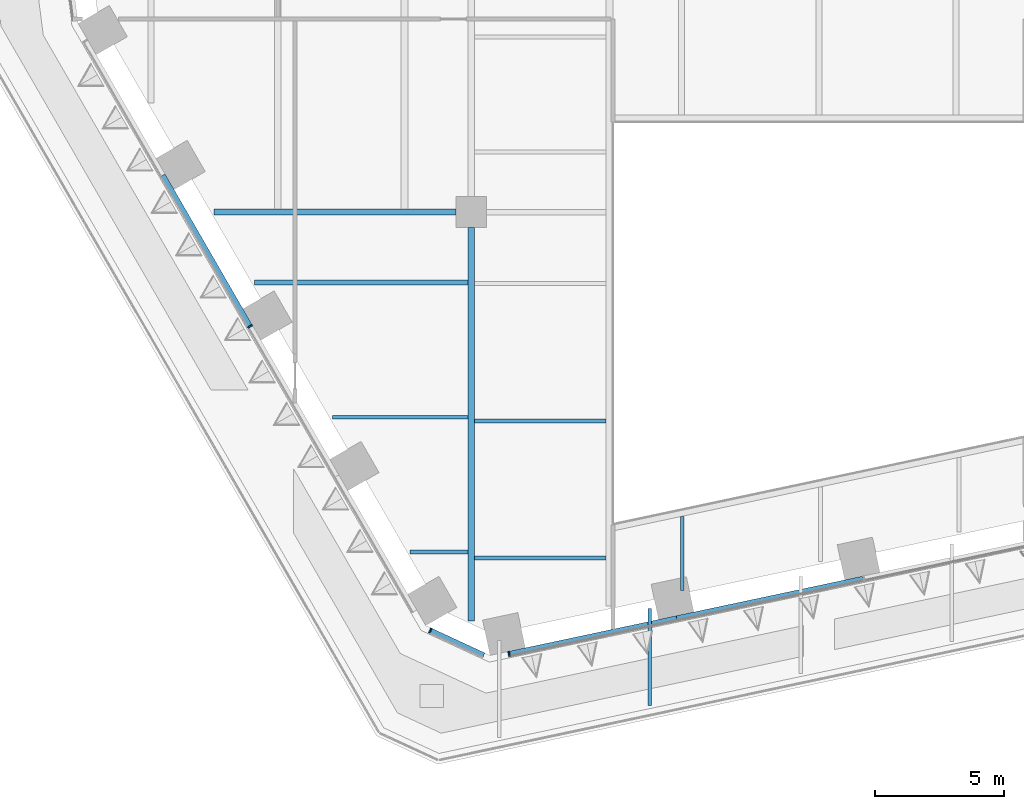
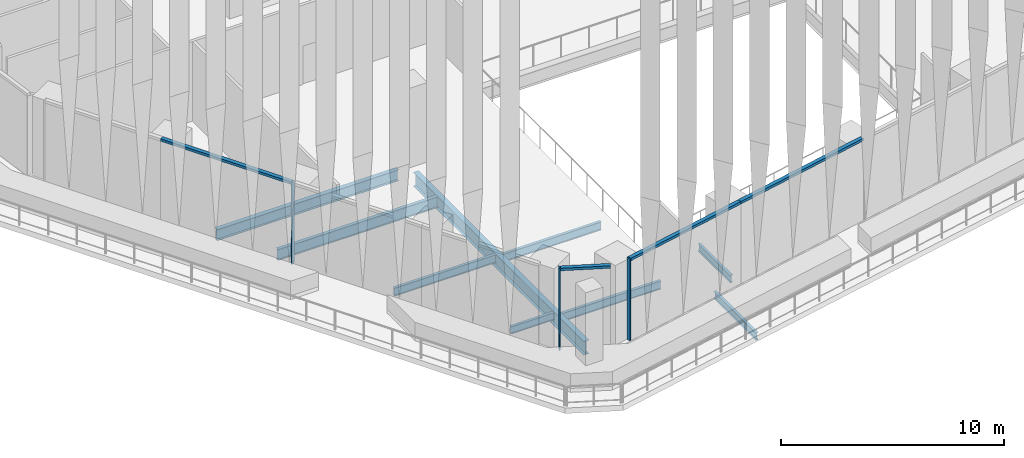
# One storey, part 2 of 27: 9 beams, 7 members, 3 elements without a shape of their own.
"""IFC4 building model written with IfcOpenShell, lengths in metres."""

import ifcopenshell
import ifcopenshell.guid

model = None  # the IFC model being written
_history = None  # IfcOwnerHistory: only IFC2X3 demands one
_inside = {}  # id of a spatial element -> (the spatial element, [elements in it])
_under = {}  # id of a project, library or spatial element -> (it, [spatial elements below it])
_declared = {}  # id of a project -> (the project, [libraries it declares])
_typed = {}  # id of a type object -> (the type object, [elements of that type])
_made_of = {}  # id of a material, layer set ... -> (it, [elements and type objects made of it])


def new_model(schema):
    """Start an empty IFC model of exactly this schema.

    Asked for "IFC4X3", IfcOpenShell would pick the latest addendum, in which some entities
    have other attributes; the version numbers below select the first issue.
    IFC2X3 requires an IfcOwnerHistory on every rooted entity: one is made here for all.
    """
    global model, _history
    if schema == "IFC4X3":
        model = ifcopenshell.file(schema_version=(4, 3, 0, 0))
    else:
        model = ifcopenshell.file(schema=schema)
    _inside.clear()
    _under.clear()
    _declared.clear()
    _typed.clear()
    _made_of.clear()
    _history = None
    if model.schema == "IFC2X3":
        org = make("IfcOrganization", Name="unknown")
        user = make(
            "IfcPersonAndOrganization",
            ThePerson=make("IfcPerson", FamilyName="unknown"),
            TheOrganization=org,
        )
        app = make(
            "IfcApplication",
            ApplicationDeveloper=org,
            Version="unknown",
            ApplicationFullName="unknown",
            ApplicationIdentifier="unknown",
        )
        _history = make(
            "IfcOwnerHistory",
            OwningUser=user,
            OwningApplication=app,
            ChangeAction="ADDED",
            CreationDate=0,
        )
    return model


def make(cls, **values):
    """One entity of the class cls with the attributes given. An attribute that is None is left unset."""
    return model.create_entity(
        cls, **{name: value for name, value in values.items() if value is not None}
    )


def rooted(cls, **values):
    """An entity with a GlobalId (a new one), such as an element, a storey or a relation."""
    return make(cls, GlobalId=ifcopenshell.guid.new(), OwnerHistory=_history, **values)


def si_unit(unit_type, name, prefix=None):
    """IfcSIUnit, for example si_unit("LENGTHUNIT", "METRE", prefix="MILLI")."""
    return make("IfcSIUnit", UnitType=unit_type, Prefix=prefix, Name=name)


def assignment(units):
    """IfcUnitAssignment: the units of a project."""
    return None if units is None else make("IfcUnitAssignment", Units=units)


def point(xyz):
    """IfcCartesianPoint."""
    return None if xyz is None else make("IfcCartesianPoint", Coordinates=xyz)


def direction(xyz):
    """IfcDirection."""
    return None if xyz is None else make("IfcDirection", DirectionRatios=xyz)


def frame(location, z_axis=None, x_axis=None):
    """IfcAxis2Placement3D, a coordinate frame: its origin and axes. An axis left out is left unset."""
    return make(
        "IfcAxis2Placement3D",
        Location=point(location),
        Axis=direction(z_axis),
        RefDirection=direction(x_axis),
    )


def frame_2d(location, x_axis=None):
    """IfcAxis2Placement2D, a coordinate frame in the plane: its origin and x axis."""
    return make(
        "IfcAxis2Placement2D", Location=point(location), RefDirection=direction(x_axis)
    )


def origin():
    """The frame at (0, 0, 0) with its axes left unset."""
    return frame((0.0, 0.0, 0.0))


def origin_2d():
    """The frame at (0, 0) in the plane with its x axis left unset."""
    return frame_2d((0.0, 0.0))


def place(relative_to, where):
    """IfcLocalPlacement: puts the frame where relative to a parent placement (None: the world)."""
    return make(
        "IfcLocalPlacement", PlacementRelTo=relative_to, RelativePlacement=where
    )


def context(
    kind, dimensions, precision=None, world=None, true_north=None, identifier=None
):
    """IfcGeometricRepresentationContext, for example the 3D "Model" context."""
    return make(
        "IfcGeometricRepresentationContext",
        ContextIdentifier=identifier,
        ContextType=kind,
        CoordinateSpaceDimension=dimensions,
        Precision=precision,
        WorldCoordinateSystem=world,
        TrueNorth=true_north,
    )


def subcontext(parent, identifier, kind, view, scale=None):
    """IfcGeometricRepresentationSubContext, for example "Body" below "Model"."""
    return make(
        "IfcGeometricRepresentationSubContext",
        ContextIdentifier=identifier,
        ContextType=kind,
        ParentContext=parent,
        TargetScale=scale,
        TargetView=view,
    )


def project(units=None, contexts=None):
    """IfcProject with its units and contexts."""
    return rooted(
        "IfcProject",
        Name="project",
        RepresentationContexts=contexts,
        UnitsInContext=assignment(units),
    )


def spatial(cls, under=None, at=None, **own):
    """A site, building, storey or space (cls), placed at a placement, below another one or the project."""
    s = rooted(cls, ObjectPlacement=at, **own)
    if under is not None:
        _under.setdefault(under.id(), (under, []))[1].append(s)
    return s


def profile(cls, at=None, kind="AREA", **sizes):
    """A parametric profile (cls). Its sizes go by their IFC names, for example OverallWidth=200.0."""
    return make(cls, ProfileType=kind, Position=at, **sizes)


def rectangle(**sizes):
    """IfcRectangleProfileDef."""
    return profile("IfcRectangleProfileDef", **sizes)


def i_section(**sizes):
    """IfcIShapeProfileDef."""
    return profile("IfcIShapeProfileDef", **sizes)


def extrude(swept, where, along, depth):
    """IfcExtrudedAreaSolid: the profile swept, set in the frame where, extruded along a direction by depth."""
    return make(
        "IfcExtrudedAreaSolid",
        SweptArea=swept,
        Position=where,
        ExtrudedDirection=direction(along),
        Depth=depth,
    )


def shape(context_of_items, identifier, shape_type, items):
    """IfcShapeRepresentation: the items that make up one representation, for example the "Body"."""
    return make(
        "IfcShapeRepresentation",
        ContextOfItems=context_of_items,
        RepresentationIdentifier=identifier,
        RepresentationType=shape_type,
        Items=items,
    )


def material(Name=None, Category=None):
    """IfcMaterial."""
    return make("IfcMaterial", Name=Name, Category=Category)


def layer(
    of_material, thickness, ventilated=None, Name=None, Category=None, Priority=None
):
    """IfcMaterialLayer: one layer of a wall or slab, of a material (None: an air gap)."""
    return make(
        "IfcMaterialLayer",
        Material=of_material,
        LayerThickness=thickness,
        IsVentilated=ventilated,
        Name=Name,
        Category=Category,
        Priority=Priority,
    )


def layer_set(layers, Name=None):
    """IfcMaterialLayerSet."""
    return make("IfcMaterialLayerSet", MaterialLayers=layers, LayerSetName=Name)


def material_profile(
    of_material, cross_section, Name=None, Category=None, Priority=None
):
    """IfcMaterialProfile: a cross section and its material."""
    return make(
        "IfcMaterialProfile",
        Name=Name,
        Material=of_material,
        Profile=cross_section,
        Priority=Priority,
        Category=Category,
    )


def profile_set(profiles, Name=None, composite=None):
    """IfcMaterialProfileSet."""
    return make(
        "IfcMaterialProfileSet",
        Name=Name,
        MaterialProfiles=profiles,
        CompositeProfile=composite,
    )


def made_of(thing, what):
    """Note that an element or type object is made of a material, layer set ...; save() writes the relation."""
    if what is not None:
        _made_of.setdefault(what.id(), (what, []))[1].append(thing)
    return thing


def type_object(cls, material=None, **own):
    """A type object (cls), such as IfcWallType, which elements share."""
    return made_of(rooted(cls, **own), material)


def element(
    cls,
    number,
    at=None,
    inside=None,
    cuts=None,
    type_object=None,
    material=None,
    context=None,
    identifier="Body",
    shape_type=None,
    held_by="IfcProductDefinitionShape",
    body=None,
    shapes=None,
    **own,
):
    """One element of the class cls, such as IfcWall. Its Tag is "e" and its number.

    at: its placement. inside: the storey or other place that contains it. cuts: it is an
    opening in that element (IfcRelVoidsElement). A single representation is given by context,
    identifier, shape_type and body (its items); several are given by shapes. held_by: the class
    of the entity that holds the representations. save() writes the other relations.
    """
    e = rooted(cls, Tag="e%d" % number, ObjectPlacement=at, **own)
    if body is not None:
        shapes = [shape(context, identifier, shape_type, body)]
    if shapes is not None:
        e.Representation = make(held_by, Representations=shapes)
    if inside is not None:
        _inside.setdefault(inside.id(), (inside, []))[1].append(e)
    if cuts is not None:
        rooted(
            "IfcRelVoidsElement", RelatingBuildingElement=cuts, RelatedOpeningElement=e
        )
    if type_object is not None:
        _typed.setdefault(type_object.id(), (type_object, []))[1].append(e)
    return made_of(e, material)


def aggregate(whole, parts):
    """IfcRelAggregates: a whole, such as a stair, and the parts it consists of."""
    return rooted("IfcRelAggregates", RelatingObject=whole, RelatedObjects=parts)


def save(model, path):
    """Write the relations noted so far, then the file.

    IfcRelAggregates (storeys below a building ...), IfcRelContainedInSpatialStructure (elements
    in a storey), IfcRelDefinesByType, IfcRelAssociatesMaterial and IfcRelDeclares: one each for
    every whole, place, type object, material and project.
    """
    for whole, parts in _under.values():
        aggregate(whole, parts)
    for where, things in _inside.values():
        rooted(
            "IfcRelContainedInSpatialStructure",
            RelatedElements=things,
            RelatingStructure=where,
        )
    for kind, things in _typed.values():
        rooted("IfcRelDefinesByType", RelatedObjects=things, RelatingType=kind)
    for what, things in _made_of.values():
        rooted("IfcRelAssociatesMaterial", RelatedObjects=things, RelatingMaterial=what)
    for by, libraries in _declared.values():
        rooted("IfcRelDeclares", RelatingContext=by, RelatedDefinitions=libraries)
    model.write(path)


model = new_model("IFC4")

# Units and contexts
model_context = context("Model", 3, precision=1e-05, world=origin(), true_north=direction((0.0, 1.0)))
body_context = subcontext(model_context, "Body", "Model", "MODEL_VIEW")
ifc_project = project(units=[si_unit("LENGTHUNIT", "METRE"), si_unit("AREAUNIT", "SQUARE_METRE"), si_unit("VOLUMEUNIT", "CUBIC_METRE"), si_unit("PLANEANGLEUNIT", "RADIAN"), si_unit("MASSUNIT", "GRAM", prefix="KILO")], contexts=[model_context])

# Site, building, storey
site_placement = place(None, origin())
site = spatial("IfcSite", under=ifc_project, at=site_placement, CompositionType="ELEMENT")
building_placement = place(site_placement, origin())
building = spatial("IfcBuilding", under=site, at=building_placement, Name="Isthmus Gate Tower", CompositionType="ELEMENT")
storey_placement = place(building_placement, frame((0.0, 0.0, 121.64990234375)))
storey = spatial("IfcBuildingStorey", under=building, at=storey_placement, Name="L29", CompositionType="ELEMENT", Elevation=121.64990234375)

# Curtain wall, member
ifc_material_1 = material(Name="Aluminium, pale champagne anodised", Category="aluminium")
ifc_layer = layer(ifc_material_1, 0.199951171875)
ifc_layer_set = layer_set([ifc_layer], Name="CW-1 UNITISED CURTAIN WALL 200 DEEP")
curtain_wall_type = type_object("IfcCurtainWallType", Name="CW-1 UNITISED CURTAIN WALL 200 DEEP", PredefinedType="NOTDEFINED", material=ifc_layer_set)
curtain_wall_1_placement = place(storey_placement, origin())
curtain_wall_1 = element("IfcCurtainWall", 1, at=curtain_wall_1_placement, inside=storey, type_object=curtain_wall_type, Name="CW-1 SW L29", PredefinedType="NOTDEFINED")
ifc_material_2 = material(Name="Aluminium, pale champagne anodised", Category="aluminium")
ifc_material_profile_1 = material_profile(ifc_material_2, rectangle(XDim=0.06005859375, YDim=0.199951171875, at=origin_2d()), Name="60x200")
ifc_profile_set_1 = profile_set([ifc_material_profile_1], Name="Aluminium, pale champagne anodised")
member_type_1 = type_object("IfcMemberType", Name="CW-1 MULLION 60 X 200", PredefinedType="MULLION", material=ifc_profile_set_1)
member_1_placement = place(storey_placement, frame((-22.08935546875, -17.93994140625, 0.0), z_axis=(0.0, 0.0, 1.0), x_axis=(0.5, -0.866025403784, 0.0)))
member_1 = element("IfcMember", 2, at=member_1_placement, type_object=member_type_1, Name="CW-1 mullion", PredefinedType="MULLION", context=body_context, shape_type="SweptSolid", body=[
    extrude(rectangle(XDim=0.06005859375, YDim=0.199951171875, at=origin_2d()), origin(), (0.0, 0.0, 1.0), 4.5),
])

curtain_wall_2_placement = place(storey_placement, origin())
curtain_wall_2 = element("IfcCurtainWall", 3, at=curtain_wall_2_placement, inside=storey, type_object=curtain_wall_type, Name="CW-1 SW-S L29", PredefinedType="NOTDEFINED")
member_2_placement = place(storey_placement, frame((-15.091064453125, -29.74755859375, 0.0), z_axis=(0.0, 0.0, 1.0), x_axis=(0.907256261367, -0.420578264073, 0.0)))
member_2 = element("IfcMember", 4, at=member_2_placement, type_object=member_type_1, Name="CW-1 mullion", PredefinedType="MULLION", context=body_context, shape_type="SweptSolid", body=[
    extrude(rectangle(XDim=0.06005859375, YDim=0.199951171875, at=origin_2d()), origin(), (0.0, 0.0, 1.0), 4.5),
])

curtain_wall_3_placement = place(storey_placement, origin())
curtain_wall_3 = element("IfcCurtainWall", 5, at=curtain_wall_3_placement, inside=storey, type_object=curtain_wall_type, Name="CW-1 S L29", PredefinedType="NOTDEFINED")
member_3_placement = place(storey_placement, frame((-12.03369140625, -30.66015625, 0.0), z_axis=(0.0, 0.0, 1.0), x_axis=(0.978147600734, 0.207911690818, 0.0)))
member_3 = element("IfcMember", 6, at=member_3_placement, type_object=member_type_1, Name="CW-1 mullion", PredefinedType="MULLION", context=body_context, shape_type="SweptSolid", body=[
    extrude(rectangle(XDim=0.06005859375, YDim=0.199951171875, at=origin_2d()), origin(), (0.0, 0.0, 1.0), 4.5),
])

# Member
ifc_material_3 = material(Name="Aluminium, pale champagne anodised", Category="aluminium")
ifc_material_profile_2 = material_profile(ifc_material_3, rectangle(XDim=0.199951171875, YDim=0.139892578125, at=origin_2d()), Name="200x140")
ifc_profile_set_2 = profile_set([ifc_material_profile_2], Name="Aluminium, pale champagne anodised")
member_type_2 = type_object("IfcMemberType", Name="CW-1 TRANSOM 200 X 140", PredefinedType="USERDEFINED", material=ifc_profile_set_2)
member_4_placement = place(storey_placement, frame((-25.4794921875, -12.068115234375, 4.43017578125), z_axis=(0.49998230858, -0.86603561769, 0.0), x_axis=(0.86603561769, 0.49998230858, 0.0)))
member_4 = element("IfcMember", 7, at=member_4_placement, type_object=member_type_2, Name="CW-1 transom", ObjectType="TRANSOM", PredefinedType="USERDEFINED", context=body_context, shape_type="SweptSolid", body=[
    extrude(rectangle(XDim=0.199951171875, YDim=0.139892578125, at=origin_2d()), origin(), (0.0, 0.0, 1.0), 6.750244140625),
])

aggregate(curtain_wall_1, [member_4, member_1])

member_5_placement = place(storey_placement, frame((-15.06396484375, -29.76025390625, 4.43017578125), z_axis=(0.907246225564, -0.420599912268, 0.0), x_axis=(0.420599912268, 0.907246225564, 0.0)))
member_5 = element("IfcMember", 8, at=member_5_placement, type_object=member_type_2, Name="CW-1 transom", ObjectType="TRANSOM", PredefinedType="USERDEFINED", context=body_context, shape_type="SweptSolid", body=[
    extrude(rectangle(XDim=0.199951171875, YDim=0.139892578125, at=origin_2d()), origin(), (0.0, 0.0, 1.0), 2.258544921875),
])

aggregate(curtain_wall_2, [member_2, member_5])

member_6_placement = place(storey_placement, frame((-12.00439453125, -30.65380859375, 4.43017578125), z_axis=(0.97814593552, 0.207919524877, 0.0), x_axis=(-0.207919524877, 0.97814593552, 0.0)))
member_6 = element("IfcMember", 9, at=member_6_placement, type_object=member_type_2, Name="CW-1 transom", ObjectType="TRANSOM", PredefinedType="USERDEFINED", context=body_context, shape_type="SweptSolid", body=[
    extrude(rectangle(XDim=0.199951171875, YDim=0.139892578125, at=origin_2d()), origin(), (0.0, 0.0, 1.0), 6.630859375),
])

member_7_placement = place(storey_placement, frame((-5.5185546875, -29.275146484375, 4.43017578125), z_axis=(0.978147683684, 0.207911300568, 0.0), x_axis=(-0.207911300568, 0.978147683684, 0.0)))
member_7 = element("IfcMember", 10, at=member_7_placement, type_object=member_type_2, Name="CW-1 transom", ObjectType="TRANSOM", PredefinedType="USERDEFINED", context=body_context, shape_type="SweptSolid", body=[
    extrude(rectangle(XDim=0.199951171875, YDim=0.139892578125, at=origin_2d()), origin(), (0.0, 0.0, 1.0), 7.390869140625),
])

aggregate(curtain_wall_3, [member_3, member_6, member_7])

# Beams
ifc_material_4 = material(Name="Structural steel ASTM A992 Gr 50", Category="steel")
ifc_material_profile_3 = material_profile(ifc_material_4, i_section(OverallWidth=0.1396484375, OverallDepth=0.4033203125, WebThickness=0.00634765625, FlangeThickness=0.010986328125, at=origin_2d()), Name="W16X31")
ifc_profile_set_3 = profile_set([ifc_material_profile_3], Name="Structural steel ASTM A992 Gr 50")
beam_type_1 = type_object("IfcBeamType", Name="STEEL FLOOR BEAM W16X31", PredefinedType="JOIST", material=ifc_profile_set_3)
beam_1_placement = place(storey_placement, frame((-15.872314453125, -26.698974609375, -0.50146484375), z_axis=(1.0, 0.0, 0.0), x_axis=(0.0, 1.0, 0.0)))
element("IfcBeam", 11, at=beam_1_placement, inside=storey, type_object=beam_type_1, Name="str-beam-L29-02-00", PredefinedType="JOIST", context=body_context, shape_type="SweptSolid", body=[
    extrude(i_section(OverallWidth=0.1396484375, OverallDepth=0.4033203125, WebThickness=0.00634765625, FlangeThickness=0.010986328125, at=origin_2d()), origin(), (0.0, 0.0, 1.0), 2.239013671875),
])
beam_2_placement = place(storey_placement, frame((-5.311279296875, -28.203857421875, -0.50146484375), z_axis=(0.0, 1.0, 0.0), x_axis=(-1.0, 0.0, 0.0)))
element("IfcBeam", 12, at=beam_2_placement, inside=storey, type_object=beam_type_1, Name="str-beam-L29-07-00", PredefinedType="JOIST", context=body_context, shape_type="SweptSolid", body=[
    extrude(i_section(OverallWidth=0.1396484375, OverallDepth=0.4033203125, WebThickness=0.00634765625, FlangeThickness=0.010986328125, at=origin_2d()), origin(), (0.0, 0.0, 1.0), 2.8916015625),
])
ifc_material_5 = material(Name="Structural steel ASTM A992 Gr 50", Category="steel")
ifc_material_profile_4 = material_profile(ifc_material_5, i_section(OverallWidth=0.15234375, OverallDepth=0.45068359375, WebThickness=0.0078125, FlangeThickness=0.010986328125, at=origin_2d()), Name="W18X35")
ifc_profile_set_4 = profile_set([ifc_material_profile_4], Name="Structural steel ASTM A992 Gr 50")
beam_type_2 = type_object("IfcBeamType", Name="STEEL FLOOR BEAM W18X35", PredefinedType="JOIST", material=ifc_profile_set_4)
beam_3_placement = place(storey_placement, frame((-18.89404296875, -21.465087890625, -0.525390625), z_axis=(1.0, 0.0, 0.0), x_axis=(0.0, 1.0, 0.0)))
element("IfcBeam", 13, at=beam_3_placement, inside=storey, type_object=beam_type_2, Name="str-beam-L29-02-01", PredefinedType="JOIST", context=body_context, shape_type="SweptSolid", body=[
    extrude(i_section(OverallWidth=0.15234375, OverallDepth=0.45068359375, WebThickness=0.0078125, FlangeThickness=0.010986328125, at=origin_2d()), origin(), (0.0, 0.0, 1.0), 5.2607421875),
])
for number, where, z_axis, x_axis, name in (
    (14, (-13.36669921875, -26.940673828125, -0.525390625), (1.0, 0.0, 0.0), (0.0, 1.0, 0.0), "str-beam-L29-03-00"),
    (15, (-13.36669921875, -21.606201171875, -0.525390625), (1.0, 0.0, 0.0), (0.0, 1.0, 0.0), "str-beam-L29-03-01"),
):
    element("IfcBeam", number, at=place(storey_placement, frame(where, z_axis=z_axis, x_axis=x_axis)), inside=storey, type_object=beam_type_2, Name=name, PredefinedType="JOIST", context=body_context, shape_type="SweptSolid", body=[
        extrude(i_section(OverallWidth=0.15234375, OverallDepth=0.45068359375, WebThickness=0.0078125, FlangeThickness=0.010986328125, at=origin_2d()), origin(), (0.0, 0.0, 1.0), 5.10009765625),
    ])
ifc_material_6 = material(Name="Structural steel ASTM A992 Gr 50", Category="steel")
ifc_material_profile_5 = material_profile(ifc_material_6, i_section(OverallWidth=0.177734375, OverallDepth=0.60009765625, WebThickness=0.009521484375, FlangeThickness=0.0126953125, at=origin_2d()), Name="W24X55")
ifc_profile_set_5 = profile_set([ifc_material_profile_5], Name="Structural steel ASTM A992 Gr 50")
beam_type_3 = type_object("IfcBeamType", Name="STEEL FLOOR BEAM W24X55", PredefinedType="JOIST", material=ifc_profile_set_5)
beam_4_placement = place(storey_placement, frame((-21.915771484375, -16.231201171875, -0.599853515625), z_axis=(1.0, 0.0, 0.0), x_axis=(0.0, 1.0, 0.0)))
element("IfcBeam", 16, at=beam_4_placement, inside=storey, type_object=beam_type_3, Name="str-beam-L29-02-02", PredefinedType="JOIST", context=body_context, shape_type="SweptSolid", body=[
    extrude(i_section(OverallWidth=0.177734375, OverallDepth=0.60009765625, WebThickness=0.009521484375, FlangeThickness=0.0126953125, at=origin_2d()), origin(), (0.0, 0.0, 1.0), 8.282470703125),
])
ifc_material_7 = material(Name="Structural steel ASTM A992 Gr 50", Category="steel")
ifc_material_profile_6 = material_profile(ifc_material_7, i_section(OverallWidth=0.228515625, OverallDepth=0.6064453125, WebThickness=0.010986328125, FlangeThickness=0.017578125, at=origin_2d()), Name="W24X76")
ifc_profile_set_6 = profile_set([ifc_material_profile_6], Name="Structural steel ASTM A992 Gr 50")
beam_type_4 = type_object("IfcBeamType", Name="STEEL GIRDER W24X76", PredefinedType="BEAM", material=ifc_profile_set_6)
beam_5_placement = place(storey_placement, frame((-23.49267578125, -13.5, -0.60302734375), z_axis=(1.0, 0.0, 0.0), x_axis=(0.0, 1.0, 0.0)))
element("IfcBeam", 17, at=beam_5_placement, inside=storey, type_object=beam_type_4, Name="str-girder-L29-01", PredefinedType="BEAM", context=body_context, shape_type="SweptSolid", body=[
    extrude(i_section(OverallWidth=0.228515625, OverallDepth=0.6064453125, WebThickness=0.010986328125, FlangeThickness=0.017578125, at=origin_2d()), origin(), (0.0, 0.0, 1.0), 9.392578125),
])
ifc_material_8 = material(Name="Structural steel ASTM A992 Gr 50", Category="steel")
ifc_material_profile_7 = material_profile(ifc_material_8, i_section(OverallWidth=0.2666015625, OverallDepth=0.7587890625, WebThickness=0.014404296875, FlangeThickness=0.01904296875, at=origin_2d()), Name="W30X108")
ifc_profile_set_7 = profile_set([ifc_material_profile_7], Name="Structural steel ASTM A992 Gr 50")
beam_type_5 = type_object("IfcBeamType", Name="STEEL GIRDER W30X108", PredefinedType="BEAM", material=ifc_profile_set_7)
beam_6_placement = place(storey_placement, frame((-13.5, -29.377685546875, -0.67919921875), z_axis=(0.0, 1.0, 0.0), x_axis=(-1.0, 0.0, 0.0)))
element("IfcBeam", 18, at=beam_6_placement, inside=storey, type_object=beam_type_5, Name="str-girder-L29-07", PredefinedType="BEAM", context=body_context, shape_type="SweptSolid", body=[
    extrude(i_section(OverallWidth=0.2666015625, OverallDepth=0.7587890625, WebThickness=0.014404296875, FlangeThickness=0.01904296875, at=origin_2d()), origin(), (0.0, 0.0, 1.0), 15.277587890625),
])
ifc_material_9 = material(Name="Structural steel ASTM A992 Gr 50", Category="steel")
ifc_material_profile_8 = material_profile(ifc_material_9, i_section(OverallWidth=0.1396484375, OverallDepth=0.4033203125, WebThickness=0.00634765625, FlangeThickness=0.010986328125, at=origin_2d()), Name="W16X31")
ifc_profile_set_8 = profile_set([ifc_material_profile_8], Name="Structural steel ASTM A992 Gr 50")
beam_type_6 = type_object("IfcBeamType", Name="STEEL LEDGE BEAM W16X31", PredefinedType="JOIST", material=ifc_profile_set_8)
beam_7_placement = place(storey_placement, frame((-6.5595703125, -32.6640625, -0.50146484375), z_axis=(0.0, 1.0, 0.0), x_axis=(-1.0, 0.0, 0.0)))
element("IfcBeam", 19, at=beam_7_placement, inside=storey, type_object=beam_type_6, Name="str-ringbeam-L29-00-07", PredefinedType="JOIST", context=body_context, shape_type="SweptSolid", body=[
    extrude(i_section(OverallWidth=0.1396484375, OverallDepth=0.4033203125, WebThickness=0.00634765625, FlangeThickness=0.010986328125, at=origin_2d()), origin(), (0.0, 0.0, 1.0), 3.776123046875),
])

save(model, "model.ifc")
